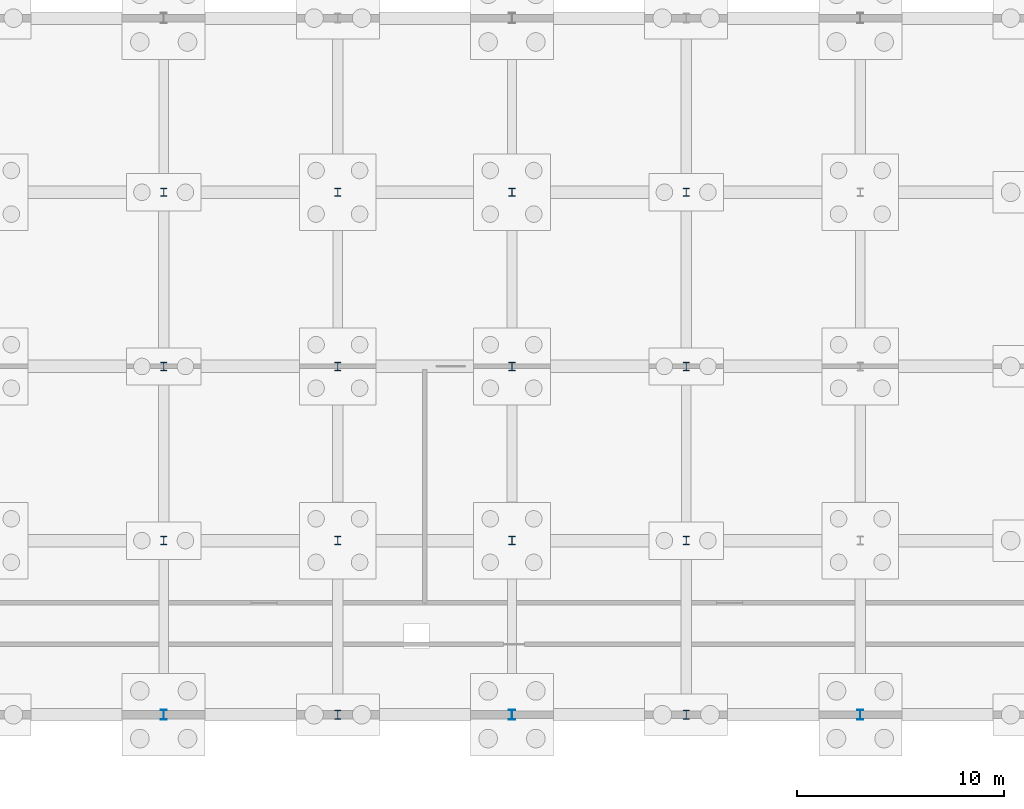
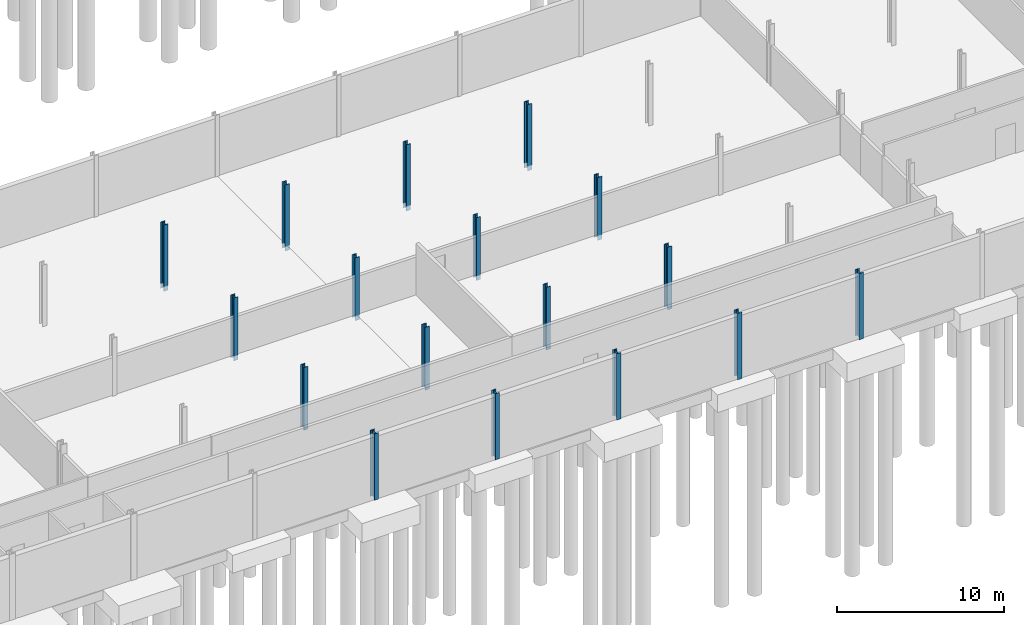
# One storey, part 16 of 51: 17 columns.
"""IFC4 building model written with IfcOpenShell, lengths in metres."""

from ifc_helpers import new_model, si_unit, direction, frame, origin, origin_2d, place, context, subcontext, project, spatial, i_section, extrude, material, material_profile, profile_set, type_object, element, save


model = new_model("IFC4")

# Units and contexts
model_context = context("Model", 3, precision=1e-05, world=origin(), true_north=direction((0.0, 1.0)))
body_context = subcontext(model_context, "Body", "Model", "MODEL_VIEW")
ifc_project = project(units=[si_unit("LENGTHUNIT", "METRE"), si_unit("AREAUNIT", "SQUARE_METRE"), si_unit("VOLUMEUNIT", "CUBIC_METRE"), si_unit("PLANEANGLEUNIT", "RADIAN"), si_unit("MASSUNIT", "GRAM", prefix="KILO")], contexts=[model_context])

# Site, building, storey
site_placement = place(None, origin())
site = spatial("IfcSite", under=ifc_project, at=site_placement, CompositionType="ELEMENT")
building_placement = place(site_placement, origin())
building = spatial("IfcBuilding", under=site, at=building_placement, Name="Qalvenar Corner Mobility Hub", CompositionType="ELEMENT")
storey_placement = place(building_placement, frame((0.0, 0.0, -4.5)))
storey = spatial("IfcBuildingStorey", under=building, at=storey_placement, Name="B1", CompositionType="ELEMENT", Elevation=-4.5)

# Columns
ifc_material = material(Name="Steel S355", Category="steel")
ifc_material_profile_1 = material_profile(ifc_material, i_section(OverallWidth=0.300048828125, OverallDepth=0.39990234375, WebThickness=0.013427734375, FlangeThickness=0.02392578125, FilletRadius=0.027099609375, at=origin_2d()), Name="HEB400")
ifc_profile_set_1 = profile_set([ifc_material_profile_1], Name="Steel S355")
column_type_1 = type_object("IfcColumnType", Name="COL-HEB400", PredefinedType="COLUMN", material=ifc_profile_set_1)
for number, where, z_axis, x_axis, name in (
    (1, (67.199951171875, 8.39990234375, -0.35009765625), (0.0, 0.0, 1.0), (1.0, 0.0, 0.0), "Steel Column B1-G9-1"),
    (2, (67.199951171875, 16.800048828125, -0.35009765625), (0.0, 0.0, 1.0), (1.0, 0.0, 0.0), "Steel Column B1-G9-2"),
):
    element("IfcColumn", number, at=place(storey_placement, frame(where, z_axis=z_axis, x_axis=x_axis)), inside=storey, type_object=column_type_1, Name=name, PredefinedType="COLUMN", context=body_context, shape_type="SweptSolid", body=[
        extrude(i_section(OverallWidth=0.300048828125, OverallDepth=0.39990234375, WebThickness=0.013427734375, FlangeThickness=0.02392578125, FilletRadius=0.027099609375, at=origin_2d()), origin(), (0.0, 0.0, 1.0), 4.60009765625),
    ])
column_1_placement = place(storey_placement, frame((67.199951171875, 25.199951171875, -0.35009765625), z_axis=(0.0, 0.0, 1.0), x_axis=(1.0, 0.0, 0.0)))
element("IfcColumn", 3, at=column_1_placement, inside=storey, type_object=column_type_1, Name="Steel Column B1-G9-3", PredefinedType="COLUMN", context=body_context, shape_type="SweptSolid", body=[
    extrude(i_section(OverallWidth=0.300048828125, OverallDepth=0.39990234375, WebThickness=0.013427734375, FlangeThickness=0.02392578125, FilletRadius=0.027099609375, at=origin_2d()), origin(), (0.0, 0.0, 1.0), 4.85009765625),
])
for number, where, z_axis, x_axis, name in (
    (4, (75.60009765625, 8.39990234375, -0.35009765625), (0.0, 0.0, 1.0), (1.0, 0.0, 0.0), "Steel Column B1-G10-1"),
    (5, (75.60009765625, 16.800048828125, -0.35009765625), (0.0, 0.0, 1.0), (1.0, 0.0, 0.0), "Steel Column B1-G10-2"),
):
    element("IfcColumn", number, at=place(storey_placement, frame(where, z_axis=z_axis, x_axis=x_axis)), inside=storey, type_object=column_type_1, Name=name, PredefinedType="COLUMN", context=body_context, shape_type="SweptSolid", body=[
        extrude(i_section(OverallWidth=0.300048828125, OverallDepth=0.39990234375, WebThickness=0.013427734375, FlangeThickness=0.02392578125, FilletRadius=0.027099609375, at=origin_2d()), origin(), (0.0, 0.0, 1.0), 4.60009765625),
    ])
column_2_placement = place(storey_placement, frame((75.60009765625, 25.199951171875, -0.35009765625), z_axis=(0.0, 0.0, 1.0), x_axis=(1.0, 0.0, 0.0)))
element("IfcColumn", 6, at=column_2_placement, inside=storey, type_object=column_type_1, Name="Steel Column B1-G10-3", PredefinedType="COLUMN", context=body_context, shape_type="SweptSolid", body=[
    extrude(i_section(OverallWidth=0.300048828125, OverallDepth=0.39990234375, WebThickness=0.013427734375, FlangeThickness=0.02392578125, FilletRadius=0.027099609375, at=origin_2d()), origin(), (0.0, 0.0, 1.0), 4.85009765625),
])
for number, where, z_axis, x_axis, name in (
    (7, (84.0, 8.39990234375, -0.35009765625), (0.0, 0.0, 1.0), (1.0, 0.0, 0.0), "Steel Column B1-G11-1"),
    (8, (84.0, 16.800048828125, -0.35009765625), (0.0, 0.0, 1.0), (1.0, 0.0, 0.0), "Steel Column B1-G11-2"),
):
    element("IfcColumn", number, at=place(storey_placement, frame(where, z_axis=z_axis, x_axis=x_axis)), inside=storey, type_object=column_type_1, Name=name, PredefinedType="COLUMN", context=body_context, shape_type="SweptSolid", body=[
        extrude(i_section(OverallWidth=0.300048828125, OverallDepth=0.39990234375, WebThickness=0.013427734375, FlangeThickness=0.02392578125, FilletRadius=0.027099609375, at=origin_2d()), origin(), (0.0, 0.0, 1.0), 4.60009765625),
    ])
column_3_placement = place(storey_placement, frame((84.0, 25.199951171875, -0.35009765625), z_axis=(0.0, 0.0, 1.0), x_axis=(1.0, 0.0, 0.0)))
element("IfcColumn", 9, at=column_3_placement, inside=storey, type_object=column_type_1, Name="Steel Column B1-G11-3", PredefinedType="COLUMN", context=body_context, shape_type="SweptSolid", body=[
    extrude(i_section(OverallWidth=0.300048828125, OverallDepth=0.39990234375, WebThickness=0.013427734375, FlangeThickness=0.02392578125, FilletRadius=0.027099609375, at=origin_2d()), origin(), (0.0, 0.0, 1.0), 4.85009765625),
])
for number, where, z_axis, x_axis, name in (
    (10, (92.39990234375, 8.39990234375, -0.35009765625), (0.0, 0.0, 1.0), (1.0, 0.0, 0.0), "Steel Column B1-G12-1"),
    (11, (92.39990234375, 16.800048828125, -0.35009765625), (0.0, 0.0, 1.0), (1.0, 0.0, 0.0), "Steel Column B1-G12-2"),
):
    element("IfcColumn", number, at=place(storey_placement, frame(where, z_axis=z_axis, x_axis=x_axis)), inside=storey, type_object=column_type_1, Name=name, PredefinedType="COLUMN", context=body_context, shape_type="SweptSolid", body=[
        extrude(i_section(OverallWidth=0.300048828125, OverallDepth=0.39990234375, WebThickness=0.013427734375, FlangeThickness=0.02392578125, FilletRadius=0.027099609375, at=origin_2d()), origin(), (0.0, 0.0, 1.0), 4.60009765625),
    ])
column_4_placement = place(storey_placement, frame((92.39990234375, 25.199951171875, -0.35009765625), z_axis=(0.0, 0.0, 1.0), x_axis=(1.0, 0.0, 0.0)))
element("IfcColumn", 12, at=column_4_placement, inside=storey, type_object=column_type_1, Name="Steel Column B1-G12-3", PredefinedType="COLUMN", context=body_context, shape_type="SweptSolid", body=[
    extrude(i_section(OverallWidth=0.300048828125, OverallDepth=0.39990234375, WebThickness=0.013427734375, FlangeThickness=0.02392578125, FilletRadius=0.027099609375, at=origin_2d()), origin(), (0.0, 0.0, 1.0), 4.85009765625),
])
ifc_material_profile_2 = material_profile(ifc_material, i_section(OverallWidth=0.300048828125, OverallDepth=0.449951171875, WebThickness=0.013916015625, FlangeThickness=0.02587890625, FilletRadius=0.027099609375, at=origin_2d()), Name="HEB450")
ifc_profile_set_2 = profile_set([ifc_material_profile_2], Name="Steel S355")
column_type_2 = type_object("IfcColumnType", Name="COL-HEB450", PredefinedType="COLUMN", material=ifc_profile_set_2)
for number, where, z_axis, x_axis, name in (
    (13, (75.60009765625, 0.0, -0.35009765625), (0.0, 0.0, 1.0), (1.0, 0.0, 0.0), "Steel Column B1-G10-0"),
    (14, (92.39990234375, 0.0, -0.35009765625), (0.0, 0.0, 1.0), (1.0, 0.0, 0.0), "Steel Column B1-G12-0"),
):
    element("IfcColumn", number, at=place(storey_placement, frame(where, z_axis=z_axis, x_axis=x_axis)), inside=storey, type_object=column_type_2, Name=name, PredefinedType="COLUMN", context=body_context, shape_type="SweptSolid", body=[
        extrude(i_section(OverallWidth=0.300048828125, OverallDepth=0.449951171875, WebThickness=0.013916015625, FlangeThickness=0.02587890625, FilletRadius=0.027099609375, at=origin_2d()), origin(), (0.0, 0.0, 1.0), 4.85009765625),
    ])
ifc_material_profile_3 = material_profile(ifc_material, i_section(OverallWidth=0.300048828125, OverallDepth=0.5, WebThickness=0.014404296875, FlangeThickness=0.028076171875, FilletRadius=0.027099609375, at=origin_2d()), Name="HEB500")
ifc_profile_set_3 = profile_set([ifc_material_profile_3], Name="Steel S355")
column_type_3 = type_object("IfcColumnType", Name="COL-HEB500", PredefinedType="COLUMN", material=ifc_profile_set_3)
for number, where, z_axis, x_axis, name in (
    (15, (67.199951171875, 0.0, -0.35009765625), (0.0, 0.0, 1.0), (1.0, 0.0, 0.0), "Steel Column B1-G9-0"),
    (16, (84.0, 0.0, -0.35009765625), (0.0, 0.0, 1.0), (1.0, 0.0, 0.0), "Steel Column B1-G11-0"),
    (17, (100.800048828125, 0.0, -0.35009765625), (0.0, 0.0, 1.0), (1.0, 0.0, 0.0), "Steel Column B1-G13-0"),
):
    element("IfcColumn", number, at=place(storey_placement, frame(where, z_axis=z_axis, x_axis=x_axis)), inside=storey, type_object=column_type_3, Name=name, PredefinedType="COLUMN", context=body_context, shape_type="SweptSolid", body=[
        extrude(i_section(OverallWidth=0.300048828125, OverallDepth=0.5, WebThickness=0.014404296875, FlangeThickness=0.028076171875, FilletRadius=0.027099609375, at=origin_2d()), origin(), (0.0, 0.0, 1.0), 4.85009765625),
    ])

save(model, "model.ifc")
